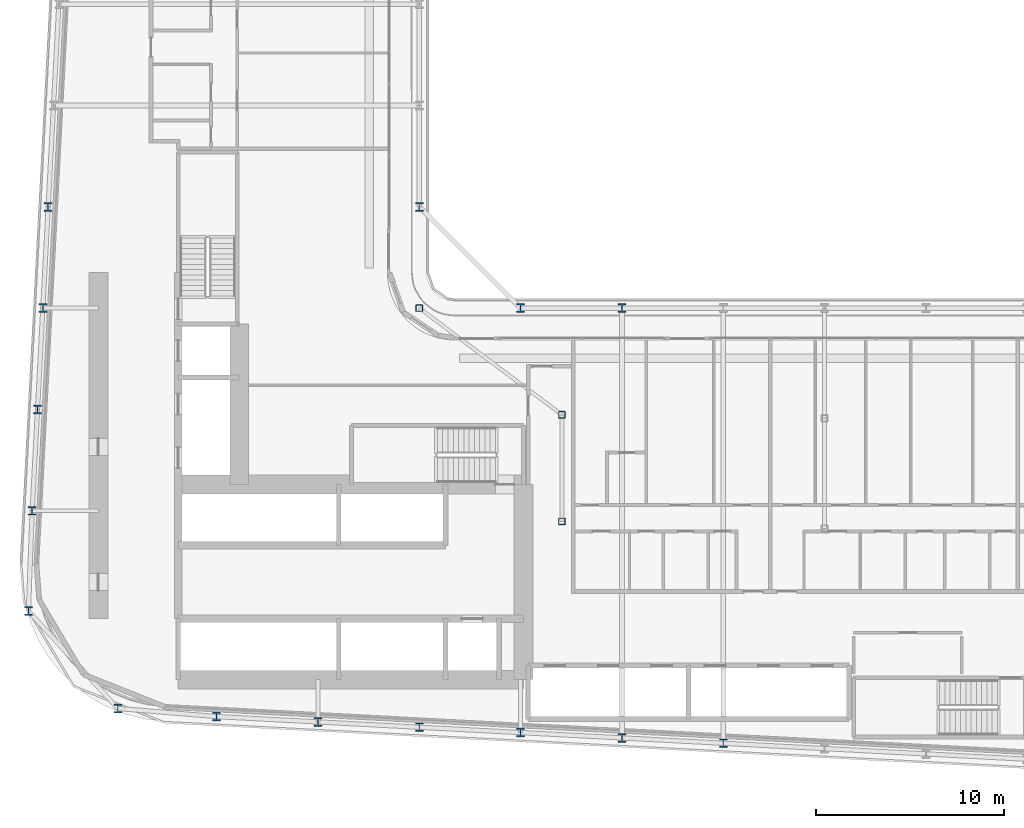
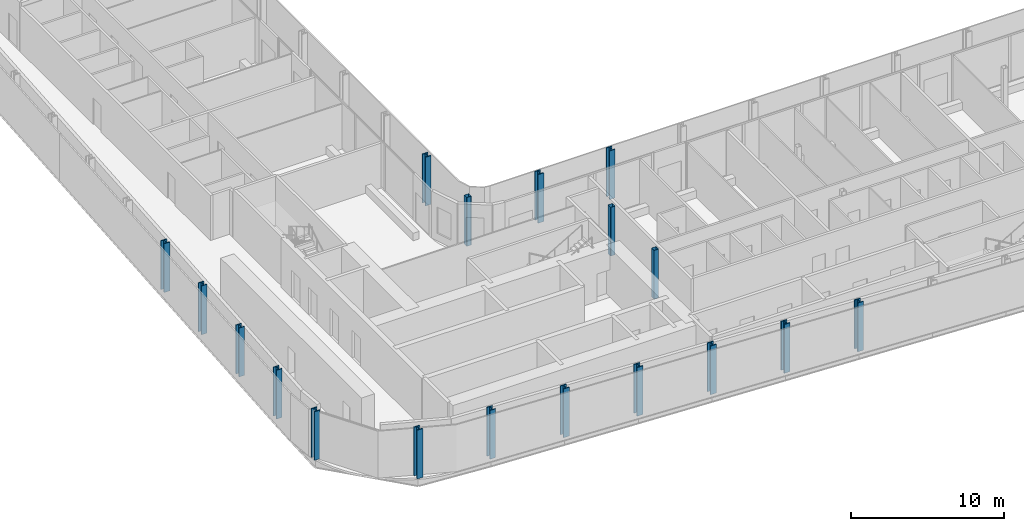
# One storey, part 1 of 28: 18 columns.
"""IFC4 building model written with IfcOpenShell, lengths in metres."""

from ifc_helpers import new_model, si_unit, direction, frame, origin, origin_2d, place, context, subcontext, project, spatial, hollow_rectangle, i_section, extrude, material, material_profile, profile_set, type_object, element, save


model = new_model("IFC4")

# Units and contexts
model_context = context("Model", 3, precision=1e-05, world=origin(), true_north=direction((0.0, 1.0)))
body_context = subcontext(model_context, "Body", "Model", "MODEL_VIEW")
ifc_project = project(units=[si_unit("LENGTHUNIT", "METRE"), si_unit("AREAUNIT", "SQUARE_METRE"), si_unit("VOLUMEUNIT", "CUBIC_METRE"), si_unit("PLANEANGLEUNIT", "RADIAN"), si_unit("MASSUNIT", "GRAM", prefix="KILO")], contexts=[model_context])

# Site, building, storey
site_placement = place(None, origin())
site = spatial("IfcSite", under=ifc_project, at=site_placement, CompositionType="ELEMENT")
building_placement = place(site_placement, origin())
building = spatial("IfcBuilding", under=site, at=building_placement, Name="Kheshtan School and Residences Tower", CompositionType="ELEMENT")
storey_placement = place(building_placement, frame((0.0, 0.0, 42.199951171875)))
storey = spatial("IfcBuildingStorey", under=building, at=storey_placement, Name="L09", CompositionType="ELEMENT", Elevation=42.199951171875)

# Columns
ifc_material_1 = material(Name="Steel ASTM A992 Grade 50", Category="steel")
ifc_material_profile_1 = material_profile(ifc_material_1, i_section(OverallWidth=0.424072265625, OverallDepth=0.47412109375, WebThickness=0.047607421875, FlangeThickness=0.0771484375, FilletRadius=0.01416015625, at=origin_2d()), Name="W360x634")
ifc_profile_set_1 = profile_set([ifc_material_profile_1], Name="Steel ASTM A992 Grade 50")
column_type_1 = type_object("IfcColumnType", Name="Column C1 W360x634 ASTM A992 Grade 50", PredefinedType="COLUMN", material=ifc_profile_set_1)
for number, where, z_axis, x_axis, name in (
    (1, (63.800048828125, 22.410888671875, 0.0), (0.0, 0.0, 1.0), (1.0, 0.0, 0.0), "Column C016"),
    (2, (58.39990234375, 22.695068359375, 0.0), (0.0, 0.0, 1.0), (1.0, 0.0, 0.0), "Column C018"),
    (3, (53.0, 22.97998046875, 0.0), (0.0, 0.0, 1.0), (1.0, 0.0, 0.0), "Column C019"),
    (4, (47.60009765625, 23.263916015625, 0.0), (0.0, 0.0, 1.0), (1.0, 0.0, 0.0), "Column C020"),
    (5, (42.199951171875, 23.548095703125, 0.0), (0.0, 0.0, 1.0), (1.0, 0.0, 0.0), "Column C021"),
    (6, (36.800048828125, 23.83203125, 0.0), (0.0, 0.0, 1.0), (1.0, 0.0, 0.0), "Column C022"),
    (7, (31.531982421875, 24.26611328125, 0.0), (0.0, 0.0, 1.0), (1.0, 0.0, 0.0), "Column C026"),
    (8, (26.76611328125, 29.458984375, 0.0), (0.0, 0.0, 1.0), (1.0, 0.0, 0.0), "Column C039"),
    (9, (26.968994140625, 34.800048828125, 0.0), (0.0, 0.0, 1.0), (1.0, 0.0, 0.0), "Column C052"),
    (10, (27.2529296875, 40.199951171875, 0.0), (0.0, 0.0, 1.0), (1.0, 0.0, 0.0), "Column C056"),
    (11, (27.537109375, 45.60009765625, 0.0), (0.0, 0.0, 1.0), (1.0, 0.0, 0.0), "Column C059"),
    (12, (53.0, 45.60009765625, 0.0), (0.0, 0.0, 1.0), (1.0, 0.0, 0.0), "Column C061"),
    (13, (58.39990234375, 45.60009765625, 0.0), (0.0, 0.0, 1.0), (1.0, 0.0, 0.0), "Column C062"),
    (14, (27.822021484375, 51.0, 0.0), (0.0, 0.0, 1.0), (1.0, 0.0, 0.0), "Column C078"),
    (15, (47.60009765625, 51.0, 0.0), (0.0, 0.0, 1.0), (1.0, 0.0, 0.0), "Column C079"),
):
    element("IfcColumn", number, at=place(storey_placement, frame(where, z_axis=z_axis, x_axis=x_axis)), inside=storey, type_object=column_type_1, Name=name, PredefinedType="COLUMN", context=body_context, shape_type="SweptSolid", body=[
        extrude(i_section(OverallWidth=0.424072265625, OverallDepth=0.47412109375, WebThickness=0.047607421875, FlangeThickness=0.0771484375, FilletRadius=0.01416015625, at=origin_2d()), origin(), (0.0, 0.0, 1.0), 3.900146484375),
    ])
ifc_material_2 = material(Name="Steel ASTM A500 Grade C", Category="steel")
ifc_material_profile_2 = material_profile(ifc_material_2, hollow_rectangle(XDim=0.35595703125, YDim=0.35595703125, WallThickness=0.015869140625, InnerFilletRadius=0.015869140625, OuterFilletRadius=0.03173828125, at=origin_2d()), Name="HSS 356x356x15.9")
ifc_profile_set_2 = profile_set([ifc_material_profile_2], Name="Steel ASTM A500 Grade C")
column_type_2 = type_object("IfcColumnType", Name="Column IC1 HSS 356x356x15.9 ASTM A500 Grade C", PredefinedType="COLUMN", material=ifc_profile_set_2)
for number, where, z_axis, x_axis, name in (
    (16, (55.199951171875, 34.23193359375, 0.0), (0.0, 0.0, 1.0), (1.0, 0.0, 0.0), "Column C051"),
    (17, (55.199951171875, 39.916015625, 0.0), (0.0, 0.0, 1.0), (1.0, 0.0, 0.0), "Column C055"),
    (18, (47.60009765625, 45.60009765625, 0.0), (0.0, 0.0, 1.0), (1.0, 0.0, 0.0), "Column C060"),
):
    element("IfcColumn", number, at=place(storey_placement, frame(where, z_axis=z_axis, x_axis=x_axis)), inside=storey, type_object=column_type_2, Name=name, PredefinedType="COLUMN", context=body_context, shape_type="SweptSolid", body=[
        extrude(hollow_rectangle(XDim=0.35595703125, YDim=0.35595703125, WallThickness=0.015869140625, InnerFilletRadius=0.015869140625, OuterFilletRadius=0.03173828125, at=origin_2d()), origin(), (0.0, 0.0, 1.0), 3.900146484375),
    ])

save(model, "model.ifc")
